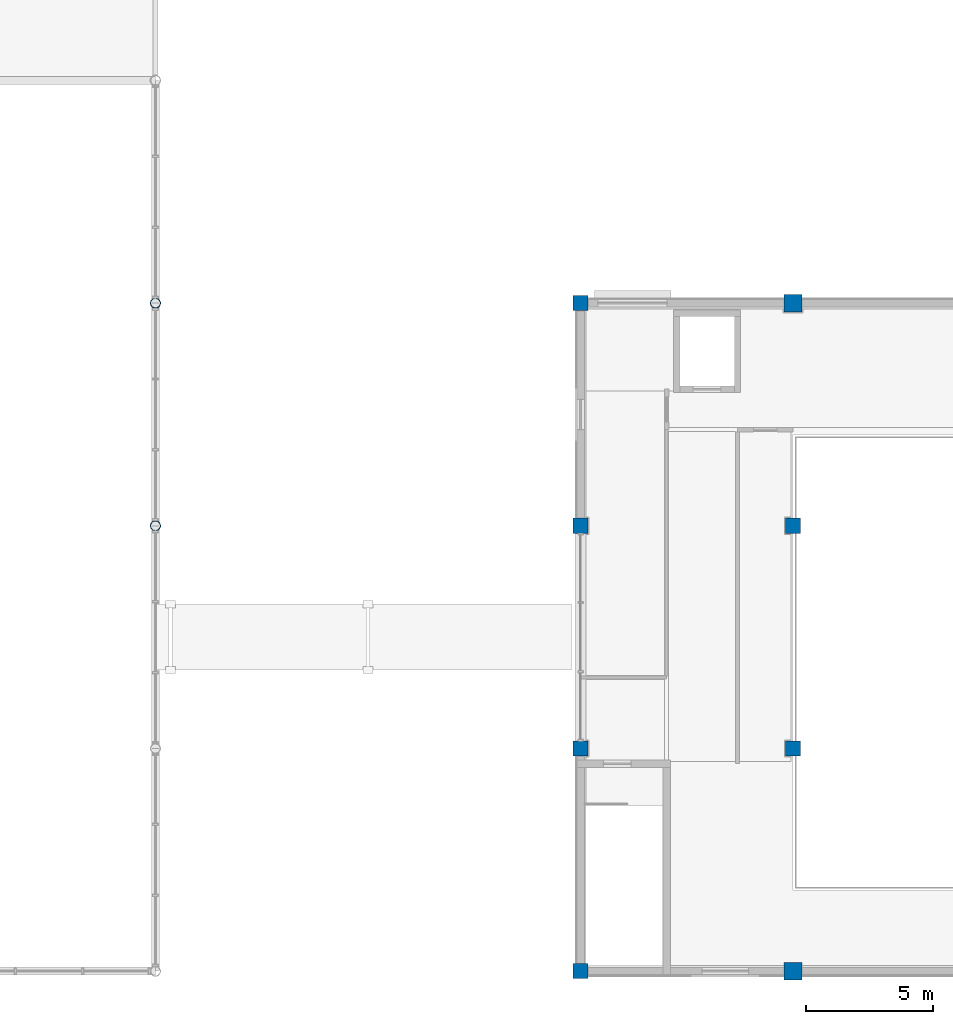
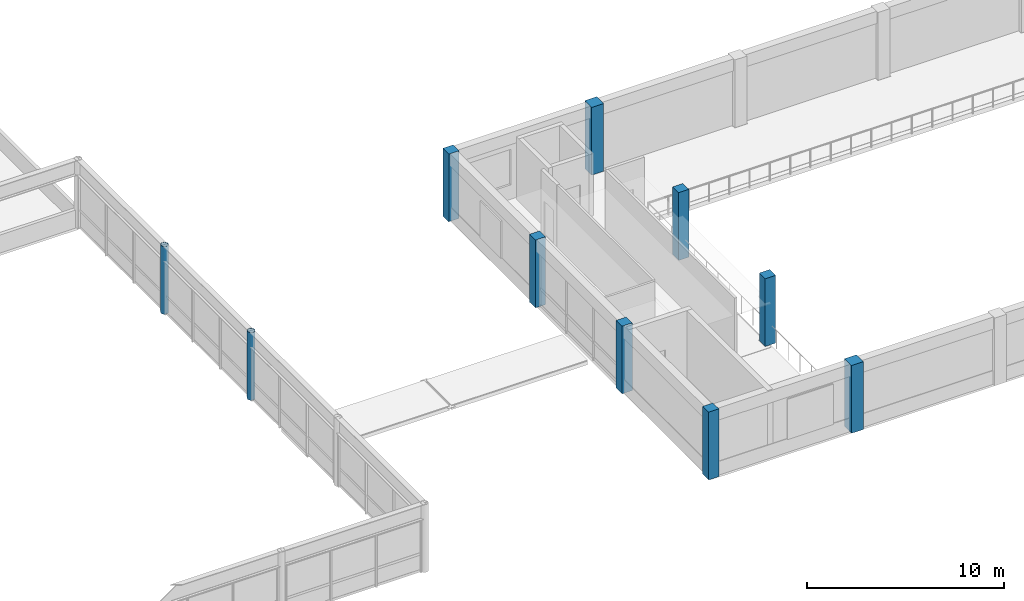
# One storey, part 2 of 46: 10 columns.
"""IFC4 building model written with IfcOpenShell, lengths in metres."""

from ifc_helpers import new_model, si_unit, direction, frame, origin, origin_2d, place, context, subcontext, project, spatial, rectangle, hollow_circle, extrude, material, material_profile, profile_set, type_object, element, save


model = new_model("IFC4")

# Units and contexts
model_context = context("Model", 3, precision=1e-05, world=origin(), true_north=direction((0.0, 1.0)))
body_context = subcontext(model_context, "Body", "Model", "MODEL_VIEW")
ifc_project = project(units=[si_unit("LENGTHUNIT", "METRE"), si_unit("AREAUNIT", "SQUARE_METRE"), si_unit("VOLUMEUNIT", "CUBIC_METRE"), si_unit("PLANEANGLEUNIT", "RADIAN"), si_unit("MASSUNIT", "GRAM", prefix="KILO")], contexts=[model_context])

# Site, building, storey
site_placement = place(None, origin())
site = spatial("IfcSite", under=ifc_project, at=site_placement, CompositionType="ELEMENT")
building_placement = place(site_placement, origin())
building = spatial("IfcBuilding", under=site, at=building_placement, Name="Kemercrest Conservatory and Botanical Centre", CompositionType="ELEMENT")
storey_placement = place(building_placement, frame((0.0, 0.0, 9.0)))
storey = spatial("IfcBuildingStorey", under=building, at=storey_placement, Name="L02", CompositionType="ELEMENT", Elevation=9.0)

# Columns
ifc_material_1 = material(Name="Concrete C40/50", Category="concrete")
ifc_material_profile_1 = material_profile(ifc_material_1, rectangle(XDim=0.60009765625, YDim=0.60009765625, at=origin_2d()), Name="RC 600x600")
ifc_profile_set_1 = profile_set([ifc_material_profile_1], Name="Concrete C40/50")
column_type_1 = type_object("IfcColumnType", Name="C-RC60", PredefinedType="COLUMN", material=ifc_profile_set_1)
for number, where, z_axis, x_axis, name in (
    (1, (58.39990234375, 16.800048828125, 0.0), (0.0, 0.0, 1.0), (1.0, 0.0, 0.0), "Auditorium column 07/B"),
    (2, (58.39990234375, 25.60009765625, 0.0), (0.0, 0.0, 1.0), (1.0, 0.0, 0.0), "Auditorium column 07/C"),
    (3, (58.39990234375, 34.39990234375, 0.0), (0.0, 0.0, 1.0), (1.0, 0.0, 0.0), "Auditorium column 07/D"),
    (4, (58.39990234375, 43.199951171875, 0.0), (0.0, 0.0, 1.0), (1.0, 0.0, 0.0), "Auditorium column 07/E"),
    (5, (66.800048828125, 25.60009765625, 0.0), (0.0, 0.0, 1.0), (1.0, 0.0, 0.0), "Auditorium column 08/C"),
    (6, (66.800048828125, 34.39990234375, 0.0), (0.0, 0.0, 1.0), (1.0, 0.0, 0.0), "Auditorium column 08/D"),
):
    element("IfcColumn", number, at=place(storey_placement, frame(where, z_axis=z_axis, x_axis=x_axis)), inside=storey, type_object=column_type_1, Name=name, PredefinedType="COLUMN", context=body_context, shape_type="SweptSolid", body=[
        extrude(rectangle(XDim=0.60009765625, YDim=0.60009765625, at=origin_2d()), origin(), (0.0, 0.0, 1.0), 4.199951171875),
    ])
ifc_material_2 = material(Name="Concrete C50/60", Category="concrete")
ifc_material_profile_2 = material_profile(ifc_material_2, rectangle(XDim=0.699951171875, YDim=0.699951171875, at=origin_2d()), Name="RC 700x700")
ifc_profile_set_2 = profile_set([ifc_material_profile_2], Name="Concrete C50/60")
column_type_2 = type_object("IfcColumnType", Name="C-RC70", PredefinedType="COLUMN", material=ifc_profile_set_2)
for number, where, z_axis, x_axis, name in (
    (7, (66.800048828125, 16.800048828125, 0.0), (0.0, 0.0, 1.0), (1.0, 0.0, 0.0), "Auditorium column 08/B"),
    (8, (66.800048828125, 43.199951171875, 0.0), (0.0, 0.0, 1.0), (1.0, 0.0, 0.0), "Auditorium column 08/E"),
):
    element("IfcColumn", number, at=place(storey_placement, frame(where, z_axis=z_axis, x_axis=x_axis)), inside=storey, type_object=column_type_2, Name=name, PredefinedType="COLUMN", context=body_context, shape_type="SweptSolid", body=[
        extrude(rectangle(XDim=0.699951171875, YDim=0.699951171875, at=origin_2d()), origin(), (0.0, 0.0, 1.0), 4.199951171875),
    ])
ifc_material_3 = material(Name="Steel CSA G40.21 350W", Category="steel")
ifc_material_profile_3 = material_profile(ifc_material_3, hollow_circle(Radius=0.203125, WallThickness=0.01611328125, at=origin_2d()), Name="CHS 406.4x16.0")
ifc_profile_set_3 = profile_set([ifc_material_profile_3], Name="Steel CSA G40.21 350W")
column_type_3 = type_object("IfcColumnType", Name="C-S406", PredefinedType="COLUMN", material=ifc_profile_set_3)
for number, where, z_axis, x_axis, name in (
    (9, (41.60009765625, 34.39990234375, 0.0), (0.0, 0.0, 1.0), (1.0, 0.0, 0.0), "Conservatory perimeter steel column 05/D"),
    (10, (41.60009765625, 43.199951171875, 0.0), (0.0, 0.0, 1.0), (1.0, 0.0, 0.0), "Conservatory perimeter steel column 05/E"),
):
    element("IfcColumn", number, at=place(storey_placement, frame(where, z_axis=z_axis, x_axis=x_axis)), inside=storey, type_object=column_type_3, Name=name, PredefinedType="COLUMN", context=body_context, shape_type="SweptSolid", body=[
        extrude(hollow_circle(Radius=0.203125, WallThickness=0.01611328125, at=origin_2d()), origin(), (0.0, 0.0, 1.0), 4.199951171875),
    ])

save(model, "model.ifc")
